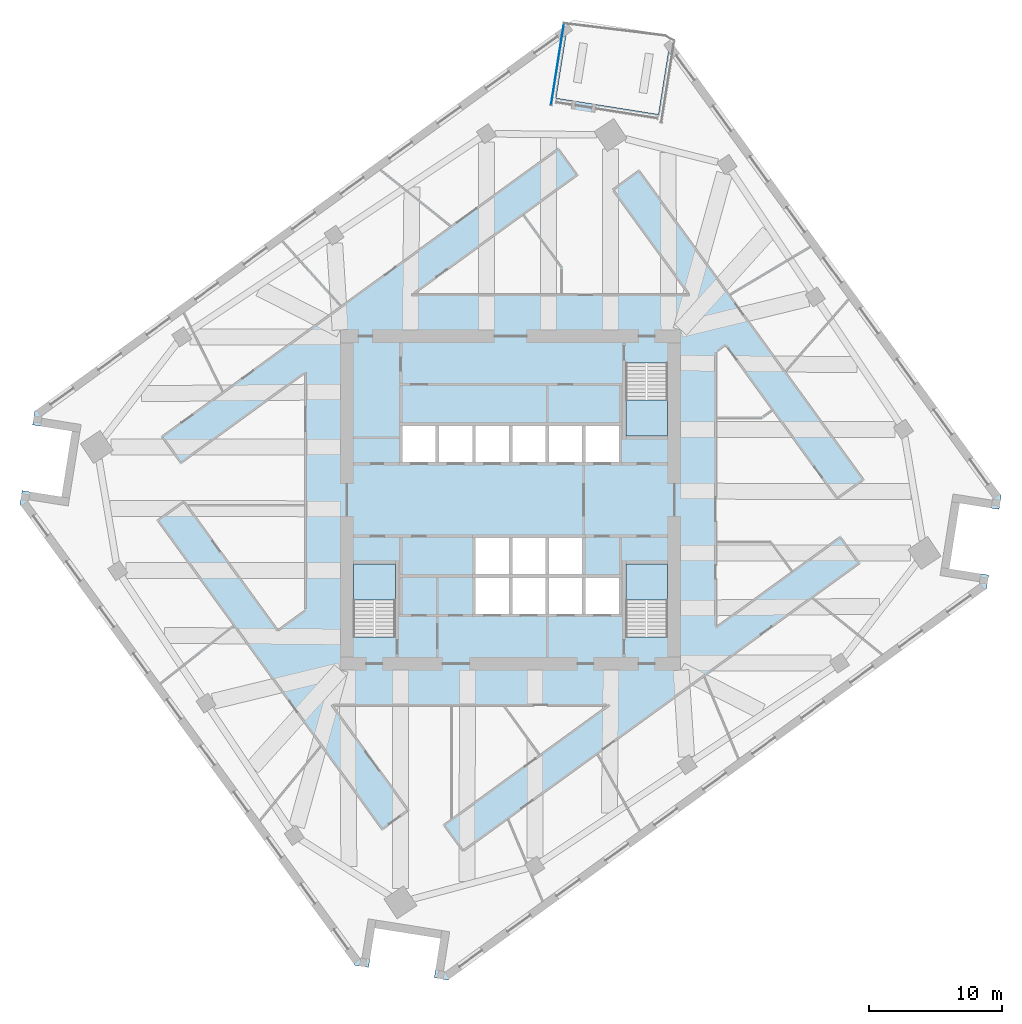
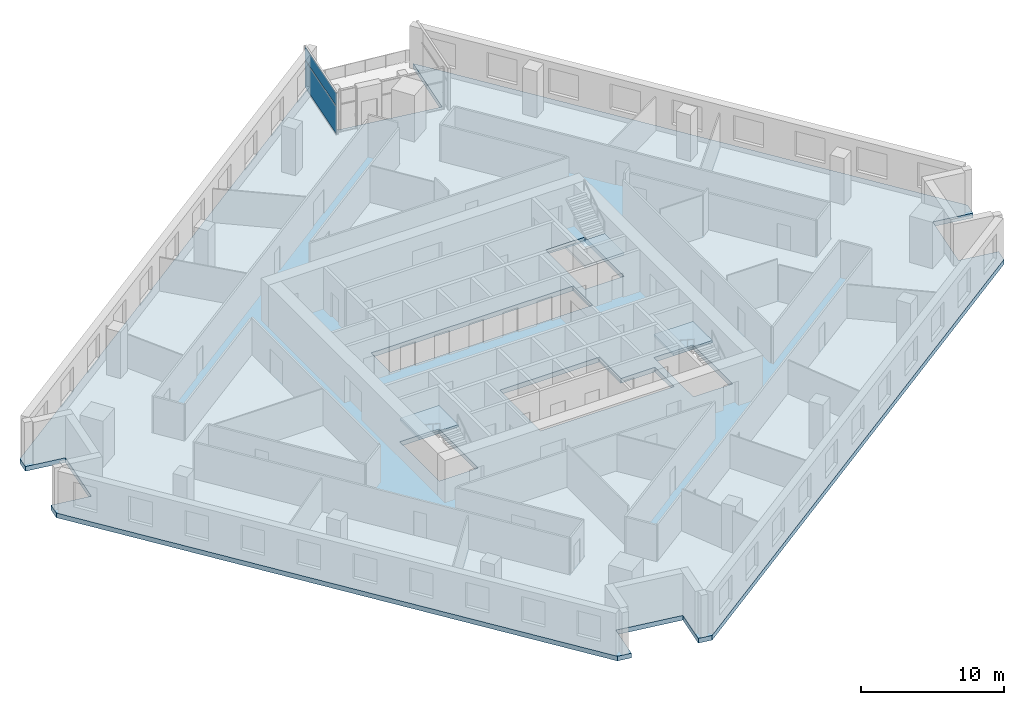
# One storey, part 3 of 11: 4 slabs, 2 plates, 4 elements without a shape of their own.
"""IFC4 building model written with IfcOpenShell, lengths in metres."""

from ifc_helpers import new_model, si_unit, direction, frame, origin, origin_2d, place, context, subcontext, project, spatial, polyline, rectangle, outline, extrude, material, layer, layer_set, type_object, element, aggregate, save


model = new_model("IFC4")

# Units and contexts
model_context = context("Model", 3, precision=1e-05, world=origin(), true_north=direction((0.0, 1.0)))
body_context = subcontext(model_context, "Body", "Model", "MODEL_VIEW")
ifc_project = project(units=[si_unit("LENGTHUNIT", "METRE"), si_unit("AREAUNIT", "SQUARE_METRE"), si_unit("VOLUMEUNIT", "CUBIC_METRE"), si_unit("PLANEANGLEUNIT", "RADIAN"), si_unit("MASSUNIT", "GRAM", prefix="KILO")], contexts=[model_context])

# Site, building, storey
site_placement = place(None, origin())
site = spatial("IfcSite", under=ifc_project, at=site_placement, CompositionType="ELEMENT")
building_placement = place(site_placement, origin())
building = spatial("IfcBuilding", under=site, at=building_placement, Name="Dilmun Exchange Tower", CompositionType="ELEMENT")
storey_placement = place(building_placement, frame((0.0, 0.0, 167.699951171875)))
storey = spatial("IfcBuildingStorey", under=building, at=storey_placement, Name="L39", CompositionType="ELEMENT", Elevation=167.699951171875)

# Stair, slab
ifc_material_1 = material(Name="Concrete C40/50", Category="concrete")
stair_type = type_object("IfcStairType", Name="Exit stair 1500 half-turn", PredefinedType="HALF_TURN_STAIR", material=ifc_material_1)
stair_1_placement = place(storey_placement, origin())
stair_1 = element("IfcStair", 1, at=stair_1_placement, inside=storey, type_object=stair_type, Name="L39 Protected exit stair ST1", PredefinedType="HALF_TURN_STAIR")
ifc_layer_1 = layer(ifc_material_1, 0.199951171875)
ifc_layer_set_1 = layer_set([ifc_layer_1], Name="Concrete C40/50")
slab_type_1 = type_object("IfcSlabType", Name="Exit stair landing 200", PredefinedType="LANDING", material=ifc_layer_set_1)
slab_1_placement = place(storey_placement, frame((0.0, 0.0, 1.800048828125)))
slab_1 = element("IfcSlab", 2, at=slab_1_placement, type_object=slab_type_1, Name="ST1 landing 1", PredefinedType="LANDING", context=body_context, shape_type="SweptSolid", body=[
    extrude(outline(polyline([(8.64990234375, 7.5), (8.64990234375, 4.800048828125), (11.800048828125, 4.800048828125), (11.800048828125, 7.5), (8.64990234375, 7.5)])), origin(), (0.0, 0.0, 1.0), 0.199951171875),
])
aggregate(stair_1, [slab_1])

stair_2_placement = place(storey_placement, origin())
stair_2 = element("IfcStair", 3, at=stair_2_placement, inside=storey, type_object=stair_type, Name="L39 Protected exit stair ST2", PredefinedType="HALF_TURN_STAIR")
slab_2_placement = place(storey_placement, frame((0.0, 0.0, 1.800048828125)))
slab_2 = element("IfcSlab", 4, at=slab_2_placement, type_object=slab_type_1, Name="ST2 landing 1", PredefinedType="LANDING", context=body_context, shape_type="SweptSolid", body=[
    extrude(outline(polyline([(-8.64990234375, -7.5), (-8.64990234375, -4.800048828125), (-11.800048828125, -4.800048828125), (-11.800048828125, -7.5), (-8.64990234375, -7.5)])), origin(), (0.0, 0.0, 1.0), 0.199951171875),
])
aggregate(stair_2, [slab_2])

stair_3_placement = place(storey_placement, origin())
stair_3 = element("IfcStair", 5, at=stair_3_placement, inside=storey, type_object=stair_type, Name="L39 Protected exit stair ST3", PredefinedType="HALF_TURN_STAIR")
slab_3_placement = place(storey_placement, frame((0.0, 0.0, 1.800048828125)))
slab_3 = element("IfcSlab", 6, at=slab_3_placement, type_object=slab_type_1, Name="ST3 landing 1", PredefinedType="LANDING", context=body_context, shape_type="SweptSolid", body=[
    extrude(outline(polyline([(11.800048828125, -7.5), (11.800048828125, -4.800048828125), (8.64990234375, -4.800048828125), (8.64990234375, -7.5), (11.800048828125, -7.5)])), origin(), (0.0, 0.0, 1.0), 0.199951171875),
])
aggregate(stair_3, [slab_3])

# Curtain wall, plates
ifc_material_2 = material(Name="Anodised aluminium and clear glass", Category="aluminium")
curtain_wall_type = type_object("IfcCurtainWallType", Name="Garden corner glazing", PredefinedType="NOTDEFINED", material=ifc_material_2)
curtain_wall_placement = place(storey_placement, origin())
curtain_wall = element("IfcCurtainWall", 7, at=curtain_wall_placement, inside=storey, type_object=curtain_wall_type, Name="Garden corner glazing run GC3.1", PredefinedType="NOTDEFINED")
ifc_material_3 = material(Name="Clear glass", Category="glass")
ifc_layer_2 = layer(ifc_material_3, 0.028076171875)
ifc_layer_set_2 = layer_set([ifc_layer_2], Name="Clear glass")
plate_type = type_object("IfcPlateType", Name="Garden corner glazing glass panel 28", PredefinedType="CURTAIN_PANEL", material=ifc_layer_set_2)
plate_1_placement = place(storey_placement, frame((3.5185546875, 32.720947265625, 0.06005859375), z_axis=(0.0, 0.0, 1.0), x_axis=(0.156441835751, 0.987687173161, 0.0)))
plate_1 = element("IfcPlate", 8, at=plate_1_placement, type_object=plate_type, Name="GC3.1 panel 1.1", PredefinedType="CURTAIN_PANEL", context=body_context, shape_type="SweptSolid", body=[
    extrude(rectangle(XDim=6.12646484375, YDim=0.028076171875, at=origin_2d()), origin(), (0.0, 0.0, 1.0), 2.31005859375),
])
plate_2_placement = place(storey_placement, frame((3.5185546875, 32.720947265625, 2.43017578125), z_axis=(0.0, 0.0, 1.0), x_axis=(0.156441835751, 0.987687173161, 0.0)))
plate_2 = element("IfcPlate", 9, at=plate_2_placement, type_object=plate_type, Name="GC3.1 panel 1.2", PredefinedType="CURTAIN_PANEL", context=body_context, shape_type="SweptSolid", body=[
    extrude(rectangle(XDim=6.12646484375, YDim=0.028076171875, at=origin_2d()), origin(), (0.0, 0.0, 1.0), 1.110107421875),
])
aggregate(curtain_wall, [plate_1, plate_2])

# Slab
ifc_layer_3 = layer(ifc_material_1, 0.39990234375)
ifc_layer_set_3 = layer_set([ifc_layer_3], Name="Concrete C40/50")
slab_type_2 = type_object("IfcSlabType", Name="RC floor slab 400", PredefinedType="FLOOR", material=ifc_layer_set_3)
slab_4_placement = place(storey_placement, frame((0.0, 0.0, -0.39990234375)))
element("IfcSlab", 10, at=slab_4_placement, inside=storey, type_object=slab_type_2, Name="Floor slab", PredefinedType="FLOOR", context=body_context, shape_type="SweptSolid", body=[
    extrude(outline(polyline([(36.68701171875, -0.7021484375), (33.72412109375, -0.23291015625), (32.94189453125, -5.17138671875), (35.90478515625, -5.640625), (35.742919921875, -6.663330078125), (-4.7080078125, -36.052734375), (-5.730712890625, -35.890625), (-5.261474609375, -32.927490234375), (-10.19970703125, -32.1455078125), (-10.669189453125, -35.1083984375), (-11.69189453125, -34.946533203125), (-36.84912109375, -0.320556640625), (-36.68701171875, 0.7021484375), (-33.72412109375, 0.23291015625), (-32.94189453125, 5.17138671875), (-35.90478515625, 5.640625), (-35.742919921875, 6.663330078125), (4.303466796875, 35.7587890625), (3.420166015625, 30.181884765625), (11.1025390625, 28.965087890625), (11.98583984375, 34.5419921875), (36.84912109375, 0.320556640625), (36.68701171875, -0.7021484375)]), holes=[polyline([(-8.64990234375, -4.800048828125), (-11.800048828125, -4.800048828125), (-11.800048828125, -10.294921875), (-8.64990234375, -10.294921875), (-8.64990234375, -4.800048828125)]), polyline([(11.800048828125, -4.800048828125), (8.64990234375, -4.800048828125), (8.64990234375, -10.294921875), (11.800048828125, -10.294921875), (11.800048828125, -4.800048828125)]), polyline([(5.375, -2.85009765625), (-2.625, -2.85009765625), (-2.625, -8.550048828125), (8.125, -8.550048828125), (8.125, -5.85009765625), (5.375, -5.85009765625), (5.375, -2.85009765625)]), polyline([(8.125, 2.85009765625), (8.125, 5.550048828125), (-8.125, 5.550048828125), (-8.125, 2.85009765625), (8.125, 2.85009765625)]), polyline([(8.64990234375, 10.294921875), (8.64990234375, 4.800048828125), (11.800048828125, 4.800048828125), (11.800048828125, 10.294921875), (8.64990234375, 10.294921875)])]), origin(), (0.0, 0.0, 1.0), 0.39990234375),
])

save(model, "model.ifc")
